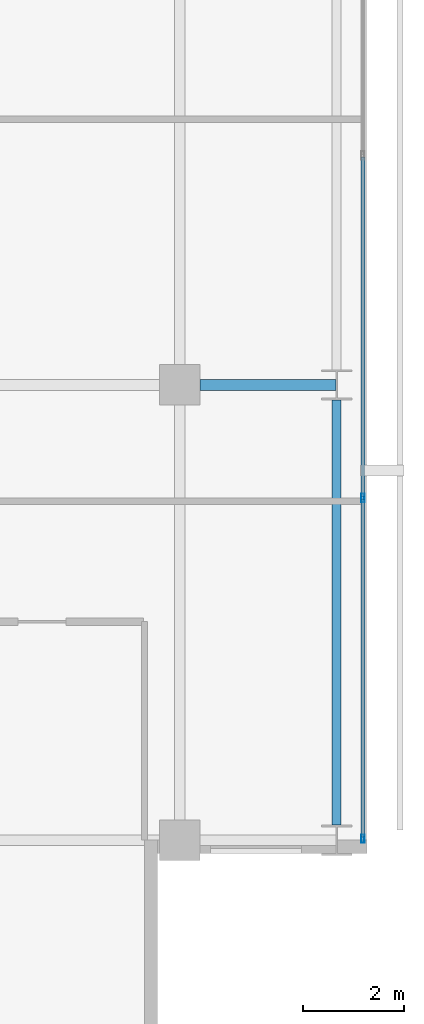
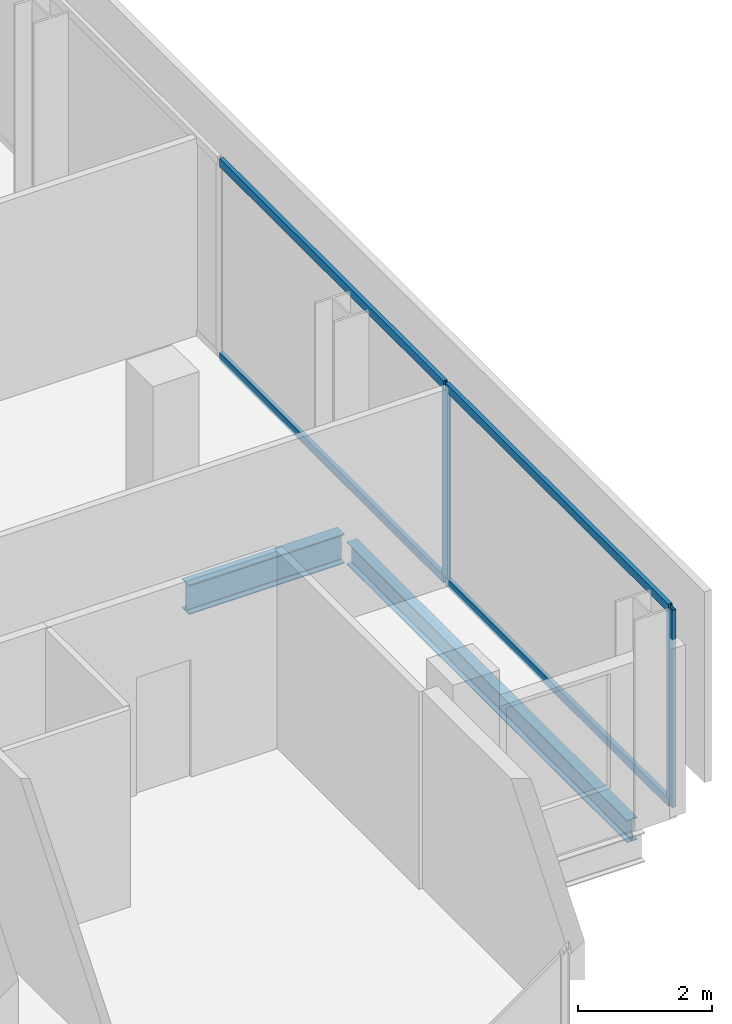
# One storey, part 15 of 33: 6 members, 2 beams, 1 element without a shape of its own.
"""IFC4 building model written with IfcOpenShell, lengths in metres."""

from ifc_helpers import new_model, si_unit, direction, frame, origin, origin_2d, place, context, subcontext, project, spatial, hollow_rectangle, i_section, extrude, material, layer, layer_set, material_profile, profile_set, type_object, element, aggregate, save


model = new_model("IFC4")

# Units and contexts
model_context = context("Model", 3, precision=1e-05, world=origin(), true_north=direction((0.0, 1.0)))
body_context = subcontext(model_context, "Body", "Model", "MODEL_VIEW")
ifc_project = project(units=[si_unit("LENGTHUNIT", "METRE"), si_unit("AREAUNIT", "SQUARE_METRE"), si_unit("VOLUMEUNIT", "CUBIC_METRE"), si_unit("PLANEANGLEUNIT", "RADIAN"), si_unit("MASSUNIT", "GRAM", prefix="KILO")], contexts=[model_context])

# Site, building, storey
site_placement = place(None, origin())
site = spatial("IfcSite", under=ifc_project, at=site_placement, CompositionType="ELEMENT")
building_placement = place(site_placement, origin())
building = spatial("IfcBuilding", under=site, at=building_placement, Name="Maruvema Waterfront Hotel and Observation Tower", CompositionType="ELEMENT")
storey_placement = place(building_placement, frame((0.0, 0.0, 200.550048828125)))
storey = spatial("IfcBuildingStorey", under=building, at=storey_placement, Name="L49", CompositionType="ELEMENT", Elevation=200.550048828125)

# Curtain wall, members
ifc_material_1 = material(Name="Anodised bronze aluminium and solar-control low-E IGU", Category="aluminium")
ifc_layer = layer(ifc_material_1, 0.159912109375, Name="Zone 2 Amber Inner Thermal Curtain Wall System CW-03")
ifc_layer_set = layer_set([ifc_layer], Name="Anodised bronze aluminium and solar-control low-E IGU")
curtain_wall_type = type_object("IfcCurtainWallType", Name="Zone 2 Amber Inner Thermal Curtain Wall System CW-03", PredefinedType="USERDEFINED", material=ifc_layer_set)
curtain_wall_placement = place(storey_placement, origin())
curtain_wall = element("IfcCurtainWall", 1, at=curtain_wall_placement, inside=storey, type_object=curtain_wall_type, Name="L49 Curtain Wall CW-L49-E", ObjectType="UNITISED CURTAIN WALL", PredefinedType="USERDEFINED")
ifc_material_2 = material(Name="Anodised architectural bronze aluminium", Category="aluminium")
ifc_material_profile_1 = material_profile(ifc_material_2, hollow_rectangle(XDim=0.070068359375, YDim=0.14990234375, WallThickness=0.00390625, at=origin_2d()), Name="ALU-T70x150")
ifc_profile_set_1 = profile_set([ifc_material_profile_1], Name="Anodised architectural bronze aluminium")
member_type_1 = type_object("IfcMemberType", Name="Curtain Wall Horizontal Transom ALU-T70x150", PredefinedType="USERDEFINED", material=ifc_profile_set_1)
member_1_placement = place(storey_placement, frame((62.419921875, 9.06005859375, 0.030029296875), z_axis=(0.0, 1.0, 0.0), x_axis=(-1.0, 0.0, 0.0)))
member_1 = element("IfcMember", 2, at=member_1_placement, type_object=member_type_1, Name="CW-03 transom 1.1", ObjectType="TRANSOM", PredefinedType="USERDEFINED", context=body_context, shape_type="SweptSolid", body=[
    extrude(hollow_rectangle(XDim=0.070068359375, YDim=0.14990234375, WallThickness=0.00390625, at=origin_2d()), origin(), (0.0, 0.0, 1.0), 6.676513671875),
])
member_2_placement = place(storey_placement, frame((62.419921875, 9.06005859375, 3.579833984375), z_axis=(0.0, 1.0, 0.0), x_axis=(-1.0, 0.0, 0.0)))
member_2 = element("IfcMember", 3, at=member_2_placement, type_object=member_type_1, Name="CW-03 transom 1.2", ObjectType="TRANSOM", PredefinedType="USERDEFINED", context=body_context, shape_type="SweptSolid", body=[
    extrude(hollow_rectangle(XDim=0.070068359375, YDim=0.14990234375, WallThickness=0.00390625, at=origin_2d()), origin(), (0.0, 0.0, 1.0), 6.676513671875),
])
member_3_placement = place(storey_placement, frame((62.419921875, 15.796630859375, 0.030029296875), z_axis=(0.0, 1.0, 0.0), x_axis=(-1.0, 0.0, 0.0)))
member_3 = element("IfcMember", 4, at=member_3_placement, type_object=member_type_1, Name="CW-03 transom 2.1", ObjectType="TRANSOM", PredefinedType="USERDEFINED", context=body_context, shape_type="SweptSolid", body=[
    extrude(hollow_rectangle(XDim=0.070068359375, YDim=0.14990234375, WallThickness=0.00390625, at=origin_2d()), origin(), (0.0, 0.0, 1.0), 6.706787109375),
])
member_4_placement = place(storey_placement, frame((62.419921875, 15.796630859375, 3.579833984375), z_axis=(0.0, 1.0, 0.0), x_axis=(-1.0, 0.0, 0.0)))
member_4 = element("IfcMember", 5, at=member_4_placement, type_object=member_type_1, Name="CW-03 transom 2.2", ObjectType="TRANSOM", PredefinedType="USERDEFINED", context=body_context, shape_type="SweptSolid", body=[
    extrude(hollow_rectangle(XDim=0.070068359375, YDim=0.14990234375, WallThickness=0.00390625, at=origin_2d()), origin(), (0.0, 0.0, 1.0), 6.706787109375),
])
ifc_material_3 = material(Name="Anodised architectural bronze aluminium", Category="aluminium")
ifc_material_profile_2 = material_profile(ifc_material_3, hollow_rectangle(XDim=0.06494140625, YDim=0.1650390625, WallThickness=0.00390625, at=origin_2d()), Name="ALU-M65x165")
ifc_profile_set_2 = profile_set([ifc_material_profile_2], Name="Anodised architectural bronze aluminium")
member_type_2 = type_object("IfcMemberType", Name="Curtain Wall Primary Mullion ALU-M65x165", PredefinedType="MULLION", material=ifc_profile_set_2)
member_5_placement = place(storey_placement, frame((62.419921875, 9.030029296875, 0.0), z_axis=(0.0, 0.0, 1.0), x_axis=(-1.0, 0.0, 0.0)))
member_5 = element("IfcMember", 6, at=member_5_placement, type_object=member_type_2, Name="CW-03 mullion 1", PredefinedType="MULLION", context=body_context, shape_type="SweptSolid", body=[
    extrude(hollow_rectangle(XDim=0.06494140625, YDim=0.1650390625, WallThickness=0.00390625, at=origin_2d()), origin(), (0.0, 0.0, 1.0), 3.60986328125),
])
member_6_placement = place(storey_placement, frame((62.419921875, 15.7666015625, 0.0), z_axis=(0.0, 0.0, 1.0), x_axis=(-1.0, 0.0, 0.0)))
member_6 = element("IfcMember", 7, at=member_6_placement, type_object=member_type_2, Name="CW-03 mullion 2", PredefinedType="MULLION", context=body_context, shape_type="SweptSolid", body=[
    extrude(hollow_rectangle(XDim=0.06494140625, YDim=0.1650390625, WallThickness=0.00390625, at=origin_2d()), origin(), (0.0, 0.0, 1.0), 3.60986328125),
])
aggregate(curtain_wall, [member_5, member_6, member_1, member_2, member_3, member_4])

# Beams
ifc_material_4 = material(Name="Steel ASTM A572 Grade 50", Category="steel")
ifc_material_profile_3 = material_profile(ifc_material_4, i_section(OverallWidth=0.178955078125, OverallDepth=0.409912109375, WebThickness=0.0087890625, FlangeThickness=0.014404296875, FilletRadius=0.014892578125, at=origin_2d()), Name="W410x67.0")
ifc_profile_set_3 = profile_set([ifc_material_profile_3], Name="Steel ASTM A572 Grade 50")
beam_type_1 = type_object("IfcBeamType", Name="Perimeter Spandrel Beam W410x67.0", PredefinedType="SPANDREL", material=ifc_profile_set_3)
beam_1_placement = place(storey_placement, frame((61.89990234375, 9.300048828125, -0.445068359375), z_axis=(0.0, 1.0, 0.0), x_axis=(-1.0, 0.0, 0.0)))
element("IfcBeam", 8, at=beam_1_placement, inside=storey, type_object=beam_type_1, Name="L49 Floor Girder NS-29", PredefinedType="SPANDREL", context=body_context, shape_type="SweptSolid", body=[
    extrude(i_section(OverallWidth=0.178955078125, OverallDepth=0.409912109375, WebThickness=0.0087890625, FlangeThickness=0.014404296875, FilletRadius=0.014892578125, at=origin_2d()), origin(), (0.0, 0.0, 1.0), 8.39990234375),
])
ifc_material_5 = material(Name="Steel ASTM A572 Grade 50", Category="steel")
ifc_material_profile_4 = material_profile(ifc_material_5, i_section(OverallWidth=0.2109375, OverallDepth=0.5390625, WebThickness=0.01171875, FlangeThickness=0.018798828125, FilletRadius=0.014892578125, at=origin_2d()), Name="W530x109.0")
ifc_profile_set_4 = profile_set([ifc_material_profile_4], Name="Steel ASTM A572 Grade 50")
beam_type_2 = type_object("IfcBeamType", Name="Primary Floor Girder W530x109.0", PredefinedType="BEAM", material=ifc_profile_set_4)
beam_2_placement = place(storey_placement, frame((59.199951171875, 18.0, -0.509521484375), z_axis=(1.0, 0.0, 0.0), x_axis=(0.0, 1.0, 0.0)))
element("IfcBeam", 9, at=beam_2_placement, inside=storey, type_object=beam_type_2, Name="L49 Floor Girder EW-17", PredefinedType="BEAM", context=body_context, shape_type="SweptSolid", body=[
    extrude(i_section(OverallWidth=0.2109375, OverallDepth=0.5390625, WebThickness=0.01171875, FlangeThickness=0.018798828125, FilletRadius=0.014892578125, at=origin_2d()), origin(), (0.0, 0.0, 1.0), 2.6875),
])

save(model, "model.ifc")
